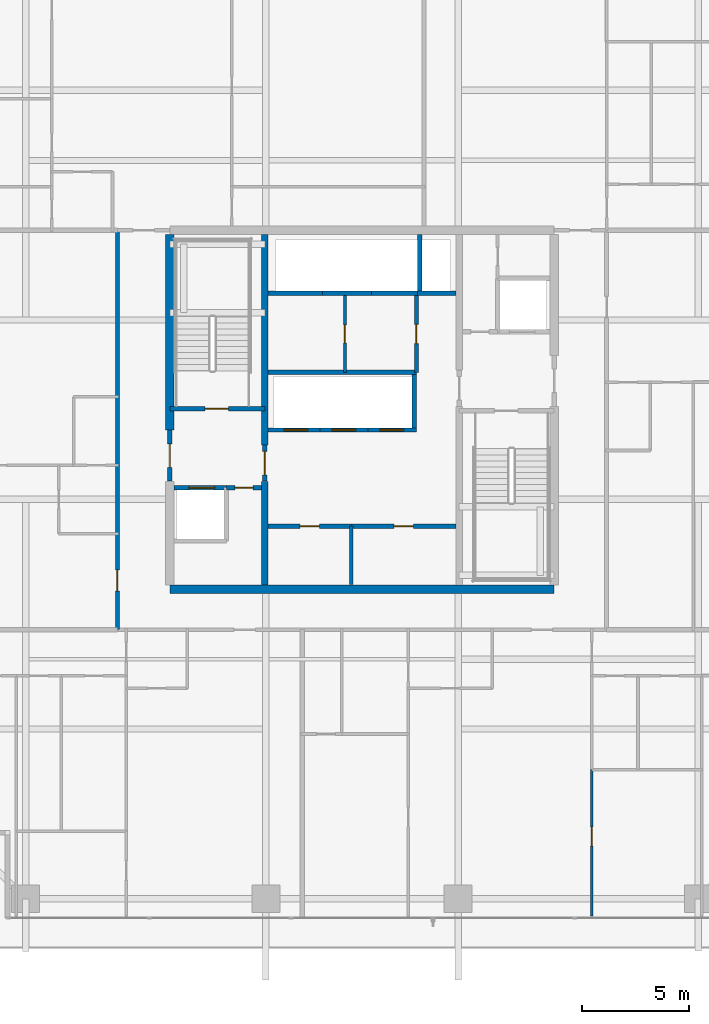
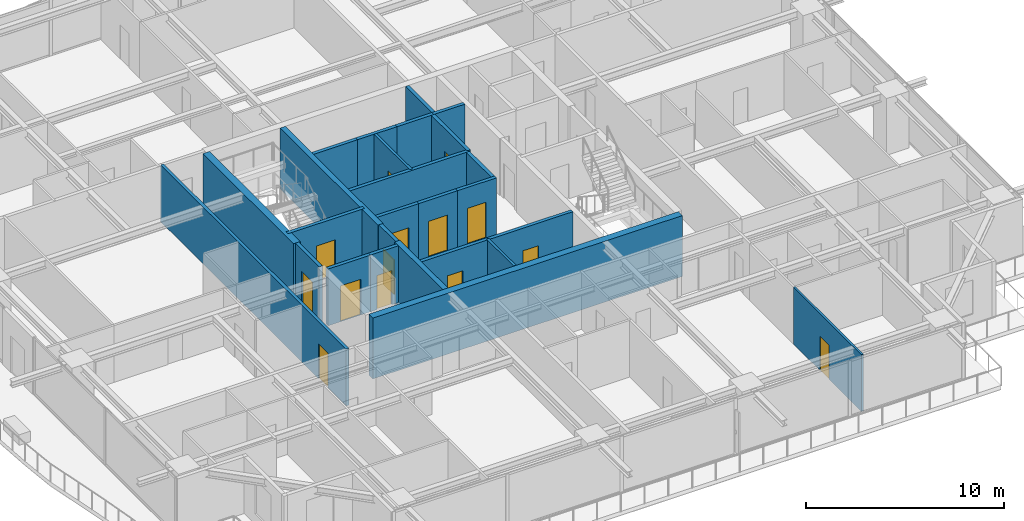
# One storey, part 28 of 39: 26 walls, 14 doors, 14 openings.
"""IFC4 building model written with IfcOpenShell, lengths in metres."""

import ifcopenshell
import ifcopenshell.guid

model = None  # the IFC model being written
_history = None  # IfcOwnerHistory: only IFC2X3 demands one
_inside = {}  # id of a spatial element -> (the spatial element, [elements in it])
_under = {}  # id of a project, library or spatial element -> (it, [spatial elements below it])
_declared = {}  # id of a project -> (the project, [libraries it declares])
_typed = {}  # id of a type object -> (the type object, [elements of that type])
_made_of = {}  # id of a material, layer set ... -> (it, [elements and type objects made of it])


def new_model(schema):
    """Start an empty IFC model of exactly this schema.

    Asked for "IFC4X3", IfcOpenShell would pick the latest addendum, in which some entities
    have other attributes; the version numbers below select the first issue.
    IFC2X3 requires an IfcOwnerHistory on every rooted entity: one is made here for all.
    """
    global model, _history
    if schema == "IFC4X3":
        model = ifcopenshell.file(schema_version=(4, 3, 0, 0))
    else:
        model = ifcopenshell.file(schema=schema)
    _inside.clear()
    _under.clear()
    _declared.clear()
    _typed.clear()
    _made_of.clear()
    _history = None
    if model.schema == "IFC2X3":
        org = make("IfcOrganization", Name="unknown")
        user = make(
            "IfcPersonAndOrganization",
            ThePerson=make("IfcPerson", FamilyName="unknown"),
            TheOrganization=org,
        )
        app = make(
            "IfcApplication",
            ApplicationDeveloper=org,
            Version="unknown",
            ApplicationFullName="unknown",
            ApplicationIdentifier="unknown",
        )
        _history = make(
            "IfcOwnerHistory",
            OwningUser=user,
            OwningApplication=app,
            ChangeAction="ADDED",
            CreationDate=0,
        )
    return model


def make(cls, **values):
    """One entity of the class cls with the attributes given. An attribute that is None is left unset."""
    return model.create_entity(
        cls, **{name: value for name, value in values.items() if value is not None}
    )


def rooted(cls, **values):
    """An entity with a GlobalId (a new one), such as an element, a storey or a relation."""
    return make(cls, GlobalId=ifcopenshell.guid.new(), OwnerHistory=_history, **values)


def si_unit(unit_type, name, prefix=None):
    """IfcSIUnit, for example si_unit("LENGTHUNIT", "METRE", prefix="MILLI")."""
    return make("IfcSIUnit", UnitType=unit_type, Prefix=prefix, Name=name)


def assignment(units):
    """IfcUnitAssignment: the units of a project."""
    return None if units is None else make("IfcUnitAssignment", Units=units)


def point(xyz):
    """IfcCartesianPoint."""
    return None if xyz is None else make("IfcCartesianPoint", Coordinates=xyz)


def direction(xyz):
    """IfcDirection."""
    return None if xyz is None else make("IfcDirection", DirectionRatios=xyz)


def frame(location, z_axis=None, x_axis=None):
    """IfcAxis2Placement3D, a coordinate frame: its origin and axes. An axis left out is left unset."""
    return make(
        "IfcAxis2Placement3D",
        Location=point(location),
        Axis=direction(z_axis),
        RefDirection=direction(x_axis),
    )


def frame_2d(location, x_axis=None):
    """IfcAxis2Placement2D, a coordinate frame in the plane: its origin and x axis."""
    return make(
        "IfcAxis2Placement2D", Location=point(location), RefDirection=direction(x_axis)
    )


def origin():
    """The frame at (0, 0, 0) with its axes left unset."""
    return frame((0.0, 0.0, 0.0))


def place(relative_to, where):
    """IfcLocalPlacement: puts the frame where relative to a parent placement (None: the world)."""
    return make(
        "IfcLocalPlacement", PlacementRelTo=relative_to, RelativePlacement=where
    )


def context(
    kind, dimensions, precision=None, world=None, true_north=None, identifier=None
):
    """IfcGeometricRepresentationContext, for example the 3D "Model" context."""
    return make(
        "IfcGeometricRepresentationContext",
        ContextIdentifier=identifier,
        ContextType=kind,
        CoordinateSpaceDimension=dimensions,
        Precision=precision,
        WorldCoordinateSystem=world,
        TrueNorth=true_north,
    )


def subcontext(parent, identifier, kind, view, scale=None):
    """IfcGeometricRepresentationSubContext, for example "Body" below "Model"."""
    return make(
        "IfcGeometricRepresentationSubContext",
        ContextIdentifier=identifier,
        ContextType=kind,
        ParentContext=parent,
        TargetScale=scale,
        TargetView=view,
    )


def project(units=None, contexts=None):
    """IfcProject with its units and contexts."""
    return rooted(
        "IfcProject",
        Name="project",
        RepresentationContexts=contexts,
        UnitsInContext=assignment(units),
    )


def spatial(cls, under=None, at=None, **own):
    """A site, building, storey or space (cls), placed at a placement, below another one or the project."""
    s = rooted(cls, ObjectPlacement=at, **own)
    if under is not None:
        _under.setdefault(under.id(), (under, []))[1].append(s)
    return s


def profile(cls, at=None, kind="AREA", **sizes):
    """A parametric profile (cls). Its sizes go by their IFC names, for example OverallWidth=200.0."""
    return make(cls, ProfileType=kind, Position=at, **sizes)


def rectangle(**sizes):
    """IfcRectangleProfileDef."""
    return profile("IfcRectangleProfileDef", **sizes)


def extrude(swept, where, along, depth):
    """IfcExtrudedAreaSolid: the profile swept, set in the frame where, extruded along a direction by depth."""
    return make(
        "IfcExtrudedAreaSolid",
        SweptArea=swept,
        Position=where,
        ExtrudedDirection=direction(along),
        Depth=depth,
    )


def shape(context_of_items, identifier, shape_type, items):
    """IfcShapeRepresentation: the items that make up one representation, for example the "Body"."""
    return make(
        "IfcShapeRepresentation",
        ContextOfItems=context_of_items,
        RepresentationIdentifier=identifier,
        RepresentationType=shape_type,
        Items=items,
    )


def source(mapping_origin, context_of_items, identifier, shape_type, items):
    """IfcRepresentationMap: a shape defined once, which mapped items show again and again."""
    return make(
        "IfcRepresentationMap",
        MappingOrigin=mapping_origin,
        MappedRepresentation=shape(context_of_items, identifier, shape_type, items),
    )


def transform(
    local_origin,
    x_axis=None,
    y_axis=None,
    z_axis=None,
    scale=None,
    scale2=None,
    scale3=None,
    uniform=True,
):
    """IfcCartesianTransformationOperator3D, or its non-uniform kind. x_axis, y_axis, z_axis: its Axis1, 2, 3."""
    if uniform:
        return make(
            "IfcCartesianTransformationOperator3D",
            Axis1=direction(x_axis),
            Axis2=direction(y_axis),
            LocalOrigin=point(local_origin),
            Scale=scale,
            Axis3=direction(z_axis),
        )
    return make(
        "IfcCartesianTransformationOperator3DnonUniform",
        Axis1=direction(x_axis),
        Axis2=direction(y_axis),
        LocalOrigin=point(local_origin),
        Scale=scale,
        Axis3=direction(z_axis),
        Scale2=scale2,
        Scale3=scale3,
    )


def mapped(mapping_source, mapping_target):
    """IfcMappedItem: shows the shape of a source again, moved by a transform."""
    return make(
        "IfcMappedItem", MappingSource=mapping_source, MappingTarget=mapping_target
    )


def material(Name=None, Category=None):
    """IfcMaterial."""
    return make("IfcMaterial", Name=Name, Category=Category)


def layer(
    of_material, thickness, ventilated=None, Name=None, Category=None, Priority=None
):
    """IfcMaterialLayer: one layer of a wall or slab, of a material (None: an air gap)."""
    return make(
        "IfcMaterialLayer",
        Material=of_material,
        LayerThickness=thickness,
        IsVentilated=ventilated,
        Name=Name,
        Category=Category,
        Priority=Priority,
    )


def layer_set(layers, Name=None):
    """IfcMaterialLayerSet."""
    return make("IfcMaterialLayerSet", MaterialLayers=layers, LayerSetName=Name)


def made_of(thing, what):
    """Note that an element or type object is made of a material, layer set ...; save() writes the relation."""
    if what is not None:
        _made_of.setdefault(what.id(), (what, []))[1].append(thing)
    return thing


def type_object(cls, material=None, **own):
    """A type object (cls), such as IfcWallType, which elements share."""
    return made_of(rooted(cls, **own), material)


def element(
    cls,
    number,
    at=None,
    inside=None,
    cuts=None,
    type_object=None,
    material=None,
    context=None,
    identifier="Body",
    shape_type=None,
    held_by="IfcProductDefinitionShape",
    body=None,
    shapes=None,
    **own,
):
    """One element of the class cls, such as IfcWall. Its Tag is "e" and its number.

    at: its placement. inside: the storey or other place that contains it. cuts: it is an
    opening in that element (IfcRelVoidsElement). A single representation is given by context,
    identifier, shape_type and body (its items); several are given by shapes. held_by: the class
    of the entity that holds the representations. save() writes the other relations.
    """
    e = rooted(cls, Tag="e%d" % number, ObjectPlacement=at, **own)
    if body is not None:
        shapes = [shape(context, identifier, shape_type, body)]
    if shapes is not None:
        e.Representation = make(held_by, Representations=shapes)
    if inside is not None:
        _inside.setdefault(inside.id(), (inside, []))[1].append(e)
    if cuts is not None:
        rooted(
            "IfcRelVoidsElement", RelatingBuildingElement=cuts, RelatedOpeningElement=e
        )
    if type_object is not None:
        _typed.setdefault(type_object.id(), (type_object, []))[1].append(e)
    return made_of(e, material)


def fill(opening, filler):
    """IfcRelFillsElement: the door or window that sits in an opening."""
    return rooted(
        "IfcRelFillsElement",
        RelatingOpeningElement=opening,
        RelatedBuildingElement=filler,
    )


def aggregate(whole, parts):
    """IfcRelAggregates: a whole, such as a stair, and the parts it consists of."""
    return rooted("IfcRelAggregates", RelatingObject=whole, RelatedObjects=parts)


def save(model, path):
    """Write the relations noted so far, then the file.

    IfcRelAggregates (storeys below a building ...), IfcRelContainedInSpatialStructure (elements
    in a storey), IfcRelDefinesByType, IfcRelAssociatesMaterial and IfcRelDeclares: one each for
    every whole, place, type object, material and project.
    """
    for whole, parts in _under.values():
        aggregate(whole, parts)
    for where, things in _inside.values():
        rooted(
            "IfcRelContainedInSpatialStructure",
            RelatedElements=things,
            RelatingStructure=where,
        )
    for kind, things in _typed.values():
        rooted("IfcRelDefinesByType", RelatedObjects=things, RelatingType=kind)
    for what, things in _made_of.values():
        rooted("IfcRelAssociatesMaterial", RelatedObjects=things, RelatingMaterial=what)
    for by, libraries in _declared.values():
        rooted("IfcRelDeclares", RelatingContext=by, RelatedDefinitions=libraries)
    model.write(path)


model = new_model("IFC4")

# Units and contexts
model_context = context("Model", 3, precision=1e-05, world=origin(), true_north=direction((0.0, 1.0)))
body_context = subcontext(model_context, "Body", "Model", "MODEL_VIEW")
ifc_project = project(units=[si_unit("LENGTHUNIT", "METRE"), si_unit("AREAUNIT", "SQUARE_METRE"), si_unit("VOLUMEUNIT", "CUBIC_METRE"), si_unit("PLANEANGLEUNIT", "RADIAN"), si_unit("MASSUNIT", "GRAM", prefix="KILO")], contexts=[model_context])

# Site, building, storey
site_placement = place(None, origin())
site = spatial("IfcSite", under=ifc_project, at=site_placement, CompositionType="ELEMENT")
building_placement = place(site_placement, origin())
building = spatial("IfcBuilding", under=site, at=building_placement, Name="Serunith Strait Residences", CompositionType="ELEMENT")
storey_placement = place(building_placement, frame((0.0, 0.0, 168.89990234375)))
storey = spatial("IfcBuildingStorey", under=building, at=storey_placement, Name="L42", CompositionType="ELEMENT", Elevation=168.89990234375)

# Wall, opening, door
ifc_material_1 = material(Name="Fire-rated masonry service closet wall", Category="masonry")
ifc_layer_1 = layer(ifc_material_1, 0.14990234375, Name="Fire-rated masonry service closet wall")
ifc_layer_set_1 = layer_set([ifc_layer_1], Name="Fire-rated masonry service closet wall")
wall_type_1 = type_object("IfcWallType", Name="IW-BOH-150", PredefinedType="PARTITIONING", material=ifc_layer_set_1)
wall_1_placement = place(storey_placement, frame((31.60009765625, 26.949951171875, 0.0), z_axis=(0.0, 0.0, 1.0), x_axis=(0.0, 1.0, 0.0)))
wall_1 = element("IfcWall", 1, at=wall_1_placement, inside=storey, type_object=wall_type_1, Name="L42 Partition Wall 014", PredefinedType="PARTITIONING", context=body_context, shape_type="SweptSolid", body=[
    extrude(rectangle(XDim=3.60009765625, YDim=0.14990234375, at=frame_2d((1.800048828125, 0.0))), origin(), (0.0, 0.0, 1.0), 3.489990234375),
])
opening_1_placement = place(wall_1_placement, frame((1.375, 0.0, 0.0)))
opening_1 = element("IfcOpeningElement", 2, at=opening_1_placement, cuts=wall_1, Name="Opening FD-850", PredefinedType="OPENING", context=body_context, shape_type="SweptSolid", body=[
    extrude(rectangle(XDim=0.85009765625, YDim=2.10009765625, at=frame_2d((0.425048828125, 1.050048828125))), frame((0.0, 0.0849609375, 0.0), z_axis=(0.0, -1.0, 0.0), x_axis=(1.0, 0.0, 0.0)), (0.0, 0.0, 1.0), 0.169921875),
])
ifc_material_2 = material(Name="Powder-coated steel service closet door", Category="steel")
door_type_1 = type_object("IfcDoorType", Name="FD-BOH-850", OperationType="NOTDEFINED", PredefinedType="DOOR", material=ifc_material_2)
shared_shape_1 = source(origin(), body_context, "Body", "SweptSolid", [
    extrude(rectangle(XDim=0.85009765625, YDim=2.10009765625, at=frame_2d((0.425048828125, 1.050048828125))), frame((0.0, 0.02490234375, 0.0), z_axis=(0.0, -1.0, 0.0), x_axis=(1.0, 0.0, 0.0)), (0.0, 0.0, 1.0), 0.050048828125),
])
door_1_placement = place(opening_1_placement, origin())
door_1 = element("IfcDoor", 3, at=door_1_placement, inside=storey, type_object=door_type_1, Name="L42 Zone Telecoms Door", OperationType="SINGLE_SWING_LEFT", OverallHeight=2.10009765625, OverallWidth=0.85009765625, PredefinedType="DOOR", context=body_context, shape_type="MappedRepresentation", body=[
    mapped(shared_shape_1, transform((0.0, 0.0, 0.0), scale=1.0)),
])
fill(opening_1, door_1)

# Wall
wall_2_placement = place(storey_placement, frame((31.89990234375, 17.02001953125, 0.0), z_axis=(0.0, 0.0, 1.0), x_axis=(0.0, 1.0, 0.0)))
element("IfcWall", 4, at=wall_2_placement, inside=storey, type_object=wall_type_1, Name="L42 Partition Wall 017", PredefinedType="PARTITIONING", context=body_context, shape_type="SweptSolid", body=[
    extrude(rectangle(XDim=2.72998046875, YDim=0.14990234375, at=frame_2d((1.364990234375, 0.0))), origin(), (0.0, 0.0, 1.0), 3.489990234375),
])

# Wall, opening, door
ifc_material_3 = material(Name="Fire-rated acoustic gypsum partition")
ifc_layer_2 = layer(ifc_material_3, 0.179931640625, Name="Fire-rated acoustic gypsum partition")
ifc_layer_set_2 = layer_set([ifc_layer_2], Name="Fire-rated acoustic gypsum partition")
wall_type_2 = type_object("IfcWallType", Name="IW-CORR-180", PredefinedType="PARTITIONING", material=ifc_layer_set_2)
wall_3_placement = place(storey_placement, frame((20.949951171875, 14.89990234375, 0.0), z_axis=(0.0, 0.0, 1.0), x_axis=(0.0, 1.0, 0.0)))
wall_3 = element("IfcWall", 5, at=wall_3_placement, inside=storey, type_object=wall_type_2, Name="L42 Partition Wall 025", PredefinedType="PARTITIONING", context=body_context, shape_type="SweptSolid", body=[
    extrude(rectangle(XDim=18.7001953125, YDim=0.179931640625, at=frame_2d((9.35009765625, 0.0))), origin(), (0.0, 0.0, 1.0), 3.489990234375),
])
opening_2_placement = place(wall_3_placement, frame((1.804931640625, 0.0, 0.0)))
opening_2 = element("IfcOpeningElement", 6, at=opening_2_placement, cuts=wall_3, Name="Opening D-APT1000", PredefinedType="OPENING", context=body_context, shape_type="SweptSolid", body=[
    extrude(rectangle(XDim=1.0, YDim=2.14990234375, at=frame_2d((0.5, 1.074951171875))), frame((0.0, 0.10009765625, 0.0), z_axis=(0.0, -1.0, 0.0), x_axis=(1.0, 0.0, 0.0)), (0.0, 0.0, 1.0), 0.199951171875),
])
ifc_material_4 = material(Name="Solid timber engineered fire door", Category="wood")
door_type_2 = type_object("IfcDoorType", Name="ID-APT-1000", OperationType="NOTDEFINED", PredefinedType="DOOR", material=ifc_material_4)
shared_shape_2 = source(origin(), body_context, "Body", "SweptSolid", [
    extrude(rectangle(XDim=1.0, YDim=2.14990234375, at=frame_2d((0.5, 1.074951171875))), frame((0.0, 0.02490234375, 0.0), z_axis=(0.0, -1.0, 0.0), x_axis=(1.0, 0.0, 0.0)), (0.0, 0.0, 1.0), 0.050048828125),
])
door_2_placement = place(opening_2_placement, origin())
door_2 = element("IfcDoor", 7, at=door_2_placement, inside=storey, type_object=door_type_2, Name="L42 Unit 05 Entrance Door", OperationType="SINGLE_SWING_RIGHT", OverallHeight=2.14990234375, OverallWidth=1.0, PredefinedType="DOOR", context=body_context, shape_type="MappedRepresentation", body=[
    mapped(shared_shape_2, transform((0.0, 0.0, 0.0), scale=1.0)),
])
fill(opening_2, door_2)

ifc_material_5 = material(Name="Lightweight steel-stud gypsum partition", Category="steel")
ifc_layer_3 = layer(ifc_material_5, 0.1201171875, Name="Lightweight steel-stud gypsum partition")
ifc_layer_set_3 = layer_set([ifc_layer_3], Name="Lightweight steel-stud gypsum partition")
wall_type_3 = type_object("IfcWallType", Name="IW-PART-120", PredefinedType="PARTITIONING", material=ifc_layer_set_3)
wall_4_placement = place(storey_placement, frame((43.159912109375, 1.4951171875, 0.0), z_axis=(0.0, 0.0, 1.0), x_axis=(0.0, 1.0, 0.0)))
wall_4 = element("IfcWall", 8, at=wall_4_placement, inside=storey, type_object=wall_type_3, Name="L42 Partition Wall 053", PredefinedType="PARTITIONING", context=body_context, shape_type="SweptSolid", body=[
    extrude(rectangle(XDim=6.85791015625, YDim=0.1201171875, at=frame_2d((3.428955078125, 0.0))), origin(), (0.0, 0.0, 1.0), 3.489990234375),
])
opening_3_placement = place(wall_4_placement, frame((3.277099609375, 0.0, 0.0)))
opening_3 = element("IfcOpeningElement", 9, at=opening_3_placement, cuts=wall_4, Name="Opening D-RM900", PredefinedType="OPENING", context=body_context, shape_type="SweptSolid", body=[
    extrude(rectangle(XDim=0.89990234375, YDim=2.10009765625, at=frame_2d((0.449951171875, 1.050048828125))), frame((0.0, 0.070068359375, 0.0), z_axis=(0.0, -1.0, 0.0), x_axis=(1.0, 0.0, 0.0)), (0.0, 0.0, 1.0), 0.14013671875),
])
ifc_material_6 = material(Name="Engineered timber flush bedroom door", Category="wood")
door_type_3 = type_object("IfcDoorType", Name="ID-ROOM-900", OperationType="NOTDEFINED", PredefinedType="DOOR", material=ifc_material_6)
shared_shape_3 = source(origin(), body_context, "Body", "SweptSolid", [
    extrude(rectangle(XDim=0.89990234375, YDim=2.10009765625, at=frame_2d((0.449951171875, 1.050048828125))), frame((0.0, 0.02490234375, 0.0), z_axis=(0.0, -1.0, 0.0), x_axis=(1.0, 0.0, 0.0)), (0.0, 0.0, 1.0), 0.050048828125),
])
door_3_placement = place(opening_3_placement, origin())
door_3 = element("IfcDoor", 10, at=door_3_placement, inside=storey, type_object=door_type_3, Name="L42 Formal Dining Room 2 4202 Door", OperationType="SINGLE_SWING_LEFT", OverallHeight=2.10009765625, OverallWidth=0.89990234375, PredefinedType="DOOR", context=body_context, shape_type="MappedRepresentation", body=[
    mapped(shared_shape_3, transform((0.0, 0.0, 0.0), scale=1.0)),
])
fill(opening_3, door_3)

ifc_material_7 = material(Name="Autoclaved aerated concrete blockwork", Category="masonry")
ifc_layer_4 = layer(ifc_material_7, 0.199951171875, Name="Autoclaved aerated concrete blockwork")
ifc_layer_set_4 = layer_set([ifc_layer_4], Name="Autoclaved aerated concrete blockwork")
wall_type_4 = type_object("IfcWallType", Name="IW-SHAFT-200", PredefinedType="STANDARD", material=ifc_layer_set_4)
wall_5_placement = place(storey_placement, frame((23.39990234375, 25.25, 0.0), z_axis=(0.0, 0.0, 1.0), x_axis=(1.0, 0.0, 0.0)))
wall_5 = element("IfcWall", 11, at=wall_5_placement, inside=storey, type_object=wall_type_4, Name="L42 ST-1 South Shaft Wall", PredefinedType="STANDARD", context=body_context, shape_type="SweptSolid", body=[
    extrude(rectangle(XDim=4.4501953125, YDim=0.199951171875, at=frame_2d((2.22509765625, 0.0))), origin(), (0.0, 0.0, 1.0), 3.489990234375),
])
opening_4_placement = place(wall_5_placement, frame((1.64990234375, 0.0, 0.0)))
opening_4 = element("IfcOpeningElement", 12, at=opening_4_placement, cuts=wall_5, Name="Opening FD-1100", PredefinedType="OPENING", context=body_context, shape_type="SweptSolid", body=[
    extrude(rectangle(XDim=1.10009765625, YDim=2.14990234375, at=frame_2d((0.550048828125, 1.074951171875))), frame((0.0, 0.10986328125, 0.0), z_axis=(0.0, -1.0, 0.0), x_axis=(1.0, 0.0, 0.0)), (0.0, 0.0, 1.0), 0.219970703125),
])
ifc_material_8 = material(Name="Galvanised steel fire door leaf", Category="steel")
door_type_4 = type_object("IfcDoorType", Name="FD-STAIR-1100", OperationType="NOTDEFINED", PredefinedType="DOOR", material=ifc_material_8)
shared_shape_4 = source(origin(), body_context, "Body", "SweptSolid", [
    extrude(rectangle(XDim=1.10009765625, YDim=2.14990234375, at=frame_2d((0.550048828125, 1.074951171875))), frame((0.0, 0.02490234375, 0.0), z_axis=(0.0, -1.0, 0.0), x_axis=(1.0, 0.0, 0.0)), (0.0, 0.0, 1.0), 0.050048828125),
])
door_4_placement = place(opening_4_placement, origin())
door_4 = element("IfcDoor", 13, at=door_4_placement, inside=storey, type_object=door_type_4, Name="L42 ST-1 Escape Stair Door", OperationType="SINGLE_SWING_RIGHT", OverallHeight=2.14990234375, OverallWidth=1.10009765625, PredefinedType="DOOR", context=body_context, shape_type="MappedRepresentation", body=[
    mapped(shared_shape_4, transform((0.0, 0.0, 0.0), scale=1.0)),
])
fill(opening_4, door_4)

wall_6_placement = place(storey_placement, frame((23.60009765625, 21.550048828125, 0.0), z_axis=(0.0, 0.0, 1.0), x_axis=(1.0, 0.0, 0.0)))
wall_6 = element("IfcWall", 14, at=wall_6_placement, inside=storey, type_object=wall_type_4, Name="L42 FL-1 North Shaft Wall", PredefinedType="STANDARD", context=body_context, shape_type="SweptSolid", body=[
    extrude(rectangle(XDim=2.449951171875, YDim=0.199951171875, at=frame_2d((1.22509765625, 0.0))), origin(), (0.0, 0.0, 1.0), 3.489990234375),
])
opening_5_placement = place(wall_6_placement, frame((0.699951171875, 0.0, 0.0)))
opening_5 = element("IfcOpeningElement", 15, at=opening_5_placement, cuts=wall_6, Name="Opening LD-FF1200", PredefinedType="OPENING", context=body_context, shape_type="SweptSolid", body=[
    extrude(rectangle(XDim=1.199951171875, YDim=2.199951171875, at=frame_2d((0.60009765625, 1.10009765625))), frame((0.0, 0.10986328125, 0.0), z_axis=(0.0, -1.0, 0.0), x_axis=(1.0, 0.0, 0.0)), (0.0, 0.0, 1.0), 0.219970703125),
])
ifc_material_9 = material(Name="Brushed stainless steel landing door", Category="steel")
door_type_5 = type_object("IfcDoorType", Name="LD-FF-1200", OperationType="DOUBLE_DOOR_SLIDING", PredefinedType="DOOR", material=ifc_material_9)
shared_shape_5 = source(origin(), body_context, "Body", "SweptSolid", [
    extrude(rectangle(XDim=1.199951171875, YDim=2.199951171875, at=frame_2d((0.60009765625, 1.10009765625))), frame((0.0, 0.02490234375, 0.0), z_axis=(0.0, -1.0, 0.0), x_axis=(1.0, 0.0, 0.0)), (0.0, 0.0, 1.0), 0.050048828125),
])
door_5_placement = place(opening_5_placement, origin())
door_5 = element("IfcDoor", 16, at=door_5_placement, inside=storey, type_object=door_type_5, Name="L42 FL-1 Landing Door", OperationType="DOUBLE_DOOR_SLIDING", OverallHeight=2.199951171875, OverallWidth=1.199951171875, PredefinedType="DOOR", context=body_context, shape_type="MappedRepresentation", body=[
    mapped(shared_shape_5, transform((0.0, 0.0, 0.0), scale=1.0)),
])
fill(opening_5, door_5)

wall_7_placement = place(storey_placement, frame((28.0, 24.25, 0.0), z_axis=(0.0, 0.0, 1.0), x_axis=(1.0, 0.0, 0.0)))
wall_7 = element("IfcWall", 17, at=wall_7_placement, inside=storey, type_object=wall_type_4, Name="L42 PL-4 South Shaft Wall", PredefinedType="STANDARD", context=body_context, shape_type="SweptSolid", body=[
    extrude(rectangle(XDim=2.425048828125, YDim=0.199951171875, at=frame_2d((1.21240234375, 0.0))), origin(), (0.0, 0.0, 1.0), 3.489990234375),
])
opening_6_placement = place(wall_7_placement, frame((0.75, 0.0, 0.0)))
opening_6 = element("IfcOpeningElement", 18, at=opening_6_placement, cuts=wall_7, Name="Opening LD-1100", PredefinedType="OPENING", context=body_context, shape_type="SweptSolid", body=[
    extrude(rectangle(XDim=1.10009765625, YDim=2.199951171875, at=frame_2d((0.550048828125, 1.10009765625))), frame((0.0, 0.10986328125, 0.0), z_axis=(0.0, -1.0, 0.0), x_axis=(1.0, 0.0, 0.0)), (0.0, 0.0, 1.0), 0.219970703125),
])
ifc_material_10 = material(Name="Pale-champagne stainless landing door")
door_type_6 = type_object("IfcDoorType", Name="LD-LIFT-1100", OperationType="DOUBLE_DOOR_SLIDING", PredefinedType="DOOR", material=ifc_material_10)
shared_shape_6 = source(origin(), body_context, "Body", "SweptSolid", [
    extrude(rectangle(XDim=1.10009765625, YDim=2.199951171875, at=frame_2d((0.550048828125, 1.10009765625))), frame((0.0, 0.02490234375, 0.0), z_axis=(0.0, -1.0, 0.0), x_axis=(1.0, 0.0, 0.0)), (0.0, 0.0, 1.0), 0.050048828125),
])
door_6_placement = place(opening_6_placement, origin())
door_6 = element("IfcDoor", 19, at=door_6_placement, inside=storey, type_object=door_type_6, Name="L42 PL-4 Landing Door", OperationType="DOUBLE_DOOR_SLIDING", OverallHeight=2.199951171875, OverallWidth=1.10009765625, PredefinedType="DOOR", context=body_context, shape_type="MappedRepresentation", body=[
    mapped(shared_shape_6, transform((0.0, 0.0, 0.0), scale=1.0)),
])
fill(opening_6, door_6)

wall_8_placement = place(storey_placement, frame((30.425048828125, 24.25, 0.0), z_axis=(0.0, 0.0, 1.0), x_axis=(1.0, 0.0, 0.0)))
wall_8 = element("IfcWall", 20, at=wall_8_placement, inside=storey, type_object=wall_type_4, Name="L42 PL-5 South Shaft Wall", PredefinedType="STANDARD", context=body_context, shape_type="SweptSolid", body=[
    extrude(rectangle(XDim=2.25, YDim=0.199951171875, at=frame_2d((1.125, 0.0))), origin(), (0.0, 0.0, 1.0), 3.489990234375),
])
opening_7_placement = place(wall_8_placement, frame((0.574951171875, 0.0, 0.0)))
opening_7 = element("IfcOpeningElement", 21, at=opening_7_placement, cuts=wall_8, Name="Opening LD-1100", PredefinedType="OPENING", context=body_context, shape_type="SweptSolid", body=[
    extrude(rectangle(XDim=1.10009765625, YDim=2.199951171875, at=frame_2d((0.550048828125, 1.10009765625))), frame((0.0, 0.10986328125, 0.0), z_axis=(0.0, -1.0, 0.0), x_axis=(1.0, 0.0, 0.0)), (0.0, 0.0, 1.0), 0.219970703125),
])
door_7_placement = place(opening_7_placement, origin())
door_7 = element("IfcDoor", 22, at=door_7_placement, inside=storey, type_object=door_type_6, Name="L42 PL-5 Landing Door", OperationType="DOUBLE_DOOR_SLIDING", OverallHeight=2.199951171875, OverallWidth=1.10009765625, PredefinedType="DOOR", context=body_context, shape_type="MappedRepresentation", body=[
    mapped(shared_shape_6, transform((0.0, 0.0, 0.0), scale=1.0)),
])
fill(opening_7, door_7)

wall_9_placement = place(storey_placement, frame((32.675048828125, 24.25, 0.0), z_axis=(0.0, 0.0, 1.0), x_axis=(1.0, 0.0, 0.0)))
wall_9 = element("IfcWall", 23, at=wall_9_placement, inside=storey, type_object=wall_type_4, Name="L42 PL-6 South Shaft Wall", PredefinedType="STANDARD", context=body_context, shape_type="SweptSolid", body=[
    extrude(rectangle(XDim=2.27490234375, YDim=0.199951171875, at=frame_2d((1.137451171875, 0.0))), origin(), (0.0, 0.0, 1.0), 3.489990234375),
])
opening_8_placement = place(wall_9_placement, frame((0.574951171875, 0.0, 0.0)))
opening_8 = element("IfcOpeningElement", 24, at=opening_8_placement, cuts=wall_9, Name="Opening LD-1100", PredefinedType="OPENING", context=body_context, shape_type="SweptSolid", body=[
    extrude(rectangle(XDim=1.10009765625, YDim=2.199951171875, at=frame_2d((0.550048828125, 1.10009765625))), frame((0.0, 0.10986328125, 0.0), z_axis=(0.0, -1.0, 0.0), x_axis=(1.0, 0.0, 0.0)), (0.0, 0.0, 1.0), 0.219970703125),
])
door_8_placement = place(opening_8_placement, origin())
door_8 = element("IfcDoor", 25, at=door_8_placement, inside=storey, type_object=door_type_6, Name="L42 PL-6 Landing Door", OperationType="DOUBLE_DOOR_SLIDING", OverallHeight=2.199951171875, OverallWidth=1.10009765625, PredefinedType="DOOR", context=body_context, shape_type="MappedRepresentation", body=[
    mapped(shared_shape_6, transform((0.0, 0.0, 0.0), scale=1.0)),
])
fill(opening_8, door_8)

# Walls
wall_10_placement = place(storey_placement, frame((34.85009765625, 24.35009765625, 0.0), z_axis=(0.0, 0.0, 1.0), x_axis=(0.0, 1.0, 0.0)))
element("IfcWall", 26, at=wall_10_placement, inside=storey, type_object=wall_type_4, Name="L42 PL-6 East Shaft Wall", PredefinedType="STANDARD", context=body_context, shape_type="SweptSolid", body=[
    extrude(rectangle(XDim=2.5, YDim=0.199951171875, at=frame_2d((1.25, 0.0))), origin(), (0.0, 0.0, 1.0), 3.489990234375),
])
wall_11_placement = place(storey_placement, frame((28.0, 30.64990234375, 0.0), z_axis=(0.0, 0.0, 1.0), x_axis=(1.0, 0.0, 0.0)))
element("IfcWall", 27, at=wall_11_placement, inside=storey, type_object=wall_type_4, Name="L42 PL-7 South Shaft Wall", PredefinedType="STANDARD", context=body_context, shape_type="SweptSolid", body=[
    extrude(rectangle(XDim=2.550048828125, YDim=0.199951171875, at=frame_2d((1.27490234375, 0.0))), origin(), (0.0, 0.0, 1.0), 3.489990234375),
])
wall_12_placement = place(storey_placement, frame((30.550048828125, 30.64990234375, 0.0), z_axis=(0.0, 0.0, 1.0), x_axis=(1.0, 0.0, 0.0)))
element("IfcWall", 28, at=wall_12_placement, inside=storey, type_object=wall_type_4, Name="L42 PL-8 South Shaft Wall", PredefinedType="STANDARD", context=body_context, shape_type="SweptSolid", body=[
    extrude(rectangle(XDim=2.300048828125, YDim=0.199951171875, at=frame_2d((1.14990234375, 0.0))), origin(), (0.0, 0.0, 1.0), 3.489990234375),
])
wall_13_placement = place(storey_placement, frame((32.85009765625, 30.64990234375, 0.0), z_axis=(0.0, 0.0, 1.0), x_axis=(1.0, 0.0, 0.0)))
element("IfcWall", 29, at=wall_13_placement, inside=storey, type_object=wall_type_4, Name="L42 PL-9 South Shaft Wall", PredefinedType="STANDARD", context=body_context, shape_type="SweptSolid", body=[
    extrude(rectangle(XDim=2.14990234375, YDim=0.199951171875, at=frame_2d((1.074951171875, 0.0))), origin(), (0.0, 0.0, 1.0), 3.489990234375),
])
wall_14_placement = place(storey_placement, frame((35.0, 30.64990234375, 0.0), z_axis=(0.0, 0.0, 1.0), x_axis=(1.0, 0.0, 0.0)))
element("IfcWall", 30, at=wall_14_placement, inside=storey, type_object=wall_type_4, Name="L42 SL-1 South Shaft Wall", PredefinedType="STANDARD", context=body_context, shape_type="SweptSolid", body=[
    extrude(rectangle(XDim=1.800048828125, YDim=0.199951171875, at=frame_2d((0.89990234375, 0.0))), origin(), (0.0, 0.0, 1.0), 3.489990234375),
])
wall_15_placement = place(storey_placement, frame((35.10009765625, 30.75, 0.0), z_axis=(0.0, 0.0, 1.0), x_axis=(0.0, 1.0, 0.0)))
element("IfcWall", 31, at=wall_15_placement, inside=storey, type_object=wall_type_4, Name="L42 SL-1 West Shaft Wall", PredefinedType="STANDARD", context=body_context, shape_type="SweptSolid", body=[
    extrude(rectangle(XDim=2.64990234375, YDim=0.199951171875, at=frame_2d((1.324951171875, 0.0))), origin(), (0.0, 0.0, 1.0), 3.489990234375),
])

# Wall, opening, door
wall_16_placement = place(storey_placement, frame((26.052001953125, 21.550048828125, 0.0), z_axis=(0.0, 0.0, 1.0), x_axis=(1.0, 0.0, 0.0)))
wall_16 = element("IfcWall", 32, at=wall_16_placement, inside=storey, type_object=wall_type_4, Name="L42 Partition Wall 003", PredefinedType="STANDARD", context=body_context, shape_type="SweptSolid", body=[
    extrude(rectangle(XDim=1.64794921875, YDim=0.199951171875, at=frame_2d((0.823974609375, 0.0))), origin(), (0.0, 0.0, 1.0), 3.489990234375),
])
opening_9_placement = place(wall_16_placement, frame((0.39892578125, 0.0, 0.0)))
opening_9 = element("IfcOpeningElement", 33, at=opening_9_placement, cuts=wall_16, Name="Opening FD-850", PredefinedType="OPENING", context=body_context, shape_type="SweptSolid", body=[
    extrude(rectangle(XDim=0.85009765625, YDim=2.10009765625, at=frame_2d((0.425048828125, 1.050048828125))), frame((0.0, 0.10986328125, 0.0), z_axis=(0.0, -1.0, 0.0), x_axis=(1.0, 0.0, 0.0)), (0.0, 0.0, 1.0), 0.219970703125),
])
door_9_placement = place(opening_9_placement, origin())
door_9 = element("IfcDoor", 34, at=door_9_placement, inside=storey, type_object=door_type_1, Name="L42 South-West Core Service Door", OperationType="SINGLE_SWING_LEFT", OverallHeight=2.10009765625, OverallWidth=0.85009765625, PredefinedType="DOOR", context=body_context, shape_type="MappedRepresentation", body=[
    mapped(shared_shape_1, transform((0.0, 0.0, 0.0), scale=1.0)),
])
fill(opening_9, door_9)

wall_17_placement = place(storey_placement, frame((23.39990234375, 21.85205078125, 0.0), z_axis=(0.0, 0.0, 1.0), x_axis=(0.0, 1.0, 0.0)))
wall_17 = element("IfcWall", 35, at=wall_17_placement, inside=storey, type_object=wall_type_4, Name="L42 Partition Wall 007", PredefinedType="STANDARD", context=body_context, shape_type="SweptSolid", body=[
    extrude(rectangle(XDim=2.39599609375, YDim=0.199951171875, at=frame_2d((1.197998046875, 0.0))), origin(), (0.0, 0.0, 1.0), 3.489990234375),
])
opening_10_placement = place(wall_17_placement, frame((0.64794921875, 0.0, 0.0)))
opening_10 = element("IfcOpeningElement", 36, at=opening_10_placement, cuts=wall_17, Name="Opening FD-FFL", PredefinedType="OPENING", context=body_context, shape_type="SweptSolid", body=[
    extrude(rectangle(XDim=1.10009765625, YDim=2.14990234375, at=frame_2d((0.550048828125, 1.074951171875))), frame((0.0, 0.10986328125, 0.0), z_axis=(0.0, -1.0, 0.0), x_axis=(1.0, 0.0, 0.0)), (0.0, 0.0, 1.0), 0.219970703125),
])
ifc_material_11 = material(Name="Glazed steel smoke-lobby fire door", Category="steel")
door_type_7 = type_object("IfcDoorType", Name="FD-FFL-1100", OperationType="NOTDEFINED", PredefinedType="DOOR", material=ifc_material_11)
door_10_placement = place(opening_10_placement, origin())
door_10 = element("IfcDoor", 37, at=door_10_placement, inside=storey, type_object=door_type_7, Name="L42 FFL-1 Corridor Fire Door", OperationType="SINGLE_SWING_LEFT", OverallHeight=2.14990234375, OverallWidth=1.10009765625, PredefinedType="DOOR", context=body_context, shape_type="MappedRepresentation", body=[
    mapped(shared_shape_4, transform((0.0, 0.0, 0.0), scale=1.0)),
])
fill(opening_10, door_10)

wall_18_placement = place(storey_placement, frame((27.85009765625, 21.85205078125, 0.0), z_axis=(0.0, 0.0, 1.0), x_axis=(0.0, 1.0, 0.0)))
wall_18 = element("IfcWall", 38, at=wall_18_placement, inside=storey, type_object=wall_type_4, Name="L42 Partition Wall 009", PredefinedType="STANDARD", context=body_context, shape_type="SweptSolid", body=[
    extrude(rectangle(XDim=1.696044921875, YDim=0.199951171875, at=frame_2d((0.84814453125, 0.0))), origin(), (0.0, 0.0, 1.0), 3.489990234375),
])
opening_11_placement = place(wall_18_placement, frame((0.298095703125, 0.0, 0.0)))
opening_11 = element("IfcOpeningElement", 39, at=opening_11_placement, cuts=wall_18, Name="Opening FD-FFL", PredefinedType="OPENING", context=body_context, shape_type="SweptSolid", body=[
    extrude(rectangle(XDim=1.10009765625, YDim=2.14990234375, at=frame_2d((0.550048828125, 1.074951171875))), frame((0.0, 0.10986328125, 0.0), z_axis=(0.0, -1.0, 0.0), x_axis=(1.0, 0.0, 0.0)), (0.0, 0.0, 1.0), 0.219970703125),
])
door_11_placement = place(opening_11_placement, origin())
door_11 = element("IfcDoor", 40, at=door_11_placement, inside=storey, type_object=door_type_7, Name="L42 FFL-1 Lift Lobby Door", OperationType="SINGLE_SWING_LEFT", OverallHeight=2.14990234375, OverallWidth=1.10009765625, PredefinedType="DOOR", context=body_context, shape_type="MappedRepresentation", body=[
    mapped(shared_shape_4, transform((0.0, 0.0, 0.0), scale=1.0)),
])
fill(opening_11, door_11)

# Wall
wall_19_placement = place(storey_placement, frame((28.0, 26.949951171875, 0.0), z_axis=(0.0, 0.0, 1.0), x_axis=(1.0, 0.0, 0.0)))
element("IfcWall", 41, at=wall_19_placement, inside=storey, type_object=wall_type_4, Name="L42 Partition Wall 011", PredefinedType="STANDARD", context=body_context, shape_type="SweptSolid", body=[
    extrude(rectangle(XDim=6.949951171875, YDim=0.199951171875, at=frame_2d((3.47509765625, 0.0))), origin(), (0.0, 0.0, 1.0), 3.489990234375),
])

# Wall, opening, door
wall_20_placement = place(storey_placement, frame((34.949951171875, 26.949951171875, 0.0), z_axis=(0.0, 0.0, 1.0), x_axis=(0.0, 1.0, 0.0)))
wall_20 = element("IfcWall", 42, at=wall_20_placement, inside=storey, type_object=wall_type_4, Name="L42 Partition Wall 013", PredefinedType="STANDARD", context=body_context, shape_type="SweptSolid", body=[
    extrude(rectangle(XDim=3.60009765625, YDim=0.199951171875, at=frame_2d((1.800048828125, 0.0))), origin(), (0.0, 0.0, 1.0), 3.489990234375),
])
opening_12_placement = place(wall_20_placement, frame((1.35009765625, 0.0, 0.0)))
opening_12 = element("IfcOpeningElement", 43, at=opening_12_placement, cuts=wall_20, Name="Opening FD-900", PredefinedType="OPENING", context=body_context, shape_type="SweptSolid", body=[
    extrude(rectangle(XDim=0.89990234375, YDim=2.10009765625, at=frame_2d((0.449951171875, 1.050048828125))), frame((0.0, 0.10986328125, 0.0), z_axis=(0.0, -1.0, 0.0), x_axis=(1.0, 0.0, 0.0)), (0.0, 0.0, 1.0), 0.219970703125),
])
ifc_material_12 = material(Name="Powder-coated steel riser door", Category="steel")
door_type_8 = type_object("IfcDoorType", Name="FD-BOH-900", OperationType="NOTDEFINED", PredefinedType="DOOR", material=ifc_material_12)
door_12_placement = place(opening_12_placement, origin())
door_12 = element("IfcDoor", 44, at=door_12_placement, inside=storey, type_object=door_type_8, Name="L42 Central Comms Door", OperationType="SINGLE_SWING_RIGHT", OverallHeight=2.10009765625, OverallWidth=0.89990234375, PredefinedType="DOOR", context=body_context, shape_type="MappedRepresentation", body=[
    mapped(shared_shape_3, transform((0.0, 0.0, 0.0), scale=1.0)),
])
fill(opening_12, door_12)

wall_21_placement = place(storey_placement, frame((28.0, 19.75, 0.0), z_axis=(0.0, 0.0, 1.0), x_axis=(1.0, 0.0, 0.0)))
wall_21 = element("IfcWall", 45, at=wall_21_placement, inside=storey, type_object=wall_type_4, Name="L42 Partition Wall 015", PredefinedType="STANDARD", context=body_context, shape_type="SweptSolid", body=[
    extrude(rectangle(XDim=3.89990234375, YDim=0.199951171875, at=frame_2d((1.949951171875, 0.0))), origin(), (0.0, 0.0, 1.0), 3.489990234375),
])
opening_13_placement = place(wall_21_placement, frame((1.5, 0.0, 0.0)))
opening_13 = element("IfcOpeningElement", 46, at=opening_13_placement, cuts=wall_21, Name="Opening FD-900", PredefinedType="OPENING", context=body_context, shape_type="SweptSolid", body=[
    extrude(rectangle(XDim=0.89990234375, YDim=2.10009765625, at=frame_2d((0.449951171875, 1.050048828125))), frame((0.0, 0.10986328125, 0.0), z_axis=(0.0, -1.0, 0.0), x_axis=(1.0, 0.0, 0.0)), (0.0, 0.0, 1.0), 0.219970703125),
])
door_13_placement = place(opening_13_placement, origin())
door_13 = element("IfcDoor", 47, at=door_13_placement, inside=storey, type_object=door_type_8, Name="L42 Housekeeping Store Door", OperationType="SINGLE_SWING_RIGHT", OverallHeight=2.10009765625, OverallWidth=0.89990234375, PredefinedType="DOOR", context=body_context, shape_type="MappedRepresentation", body=[
    mapped(shared_shape_3, transform((0.0, 0.0, 0.0), scale=1.0)),
])
fill(opening_13, door_13)

wall_22_placement = place(storey_placement, frame((31.902099609375, 19.75, 0.0), z_axis=(0.0, 0.0, 1.0), x_axis=(1.0, 0.0, 0.0)))
wall_22 = element("IfcWall", 48, at=wall_22_placement, inside=storey, type_object=wall_type_4, Name="L42 Partition Wall 016", PredefinedType="STANDARD", context=body_context, shape_type="SweptSolid", body=[
    extrude(rectangle(XDim=4.89794921875, YDim=0.199951171875, at=frame_2d((2.448974609375, 0.0))), origin(), (0.0, 0.0, 1.0), 3.489990234375),
])
opening_14_placement = place(wall_22_placement, frame((1.9990234375, 0.0, 0.0)))
opening_14 = element("IfcOpeningElement", 49, at=opening_14_placement, cuts=wall_22, Name="Opening FD-900", PredefinedType="OPENING", context=body_context, shape_type="SweptSolid", body=[
    extrude(rectangle(XDim=0.89990234375, YDim=2.10009765625, at=frame_2d((0.449951171875, 1.050048828125))), frame((0.0, 0.10986328125, 0.0), z_axis=(0.0, -1.0, 0.0), x_axis=(1.0, 0.0, 0.0)), (0.0, 0.0, 1.0), 0.219970703125),
])
door_14_placement = place(opening_14_placement, origin())
door_14 = element("IfcDoor", 50, at=door_14_placement, inside=storey, type_object=door_type_8, Name="L42 High-Rise Meter Door", OperationType="SINGLE_SWING_LEFT", OverallHeight=2.10009765625, OverallWidth=0.89990234375, PredefinedType="DOOR", context=body_context, shape_type="MappedRepresentation", body=[
    mapped(shared_shape_3, transform((0.0, 0.0, 0.0), scale=1.0)),
])
fill(opening_14, door_14)

# Walls
ifc_material_13 = material(Name="Concrete C70/85", Category="concrete")
ifc_layer_5 = layer(ifc_material_13, 0.300048828125, Name="Concrete C70/85")
ifc_layer_set_5 = layer_set([ifc_layer_5], Name="Concrete C70/85")
wall_type_5 = type_object("IfcWallType", Name="SW-300-C70", PredefinedType="SHEAR", material=ifc_layer_set_5)
wall_23_placement = place(storey_placement, frame((27.85009765625, 17.0, -0.260009765625), z_axis=(0.0, 0.0, 1.0), x_axis=(0.0, 1.0, 0.0)))
element("IfcWall", 51, at=wall_23_placement, inside=storey, type_object=wall_type_5, Name="L42 Core Internal West Web South Pier", PredefinedType="SHEAR", context=body_context, shape_type="SweptSolid", body=[
    extrude(rectangle(XDim=4.85009765625, YDim=0.300048828125, at=frame_2d((2.425048828125, 0.0))), origin(), (0.0, 0.0, 1.0), 3.748046875),
])
wall_24_placement = place(storey_placement, frame((27.85009765625, 23.550048828125, -0.260009765625), z_axis=(0.0, 0.0, 1.0), x_axis=(0.0, 1.0, 0.0)))
element("IfcWall", 52, at=wall_24_placement, inside=storey, type_object=wall_type_5, Name="L42 Core Internal West Web North Pier", PredefinedType="SHEAR", context=body_context, shape_type="SweptSolid", body=[
    extrude(rectangle(XDim=9.849853515625, YDim=0.300048828125, at=frame_2d((4.9248046875, 0.0))), origin(), (0.0, 0.0, 1.0), 3.748046875),
])
ifc_layer_6 = layer(ifc_material_13, 0.39990234375, Name="Concrete C70/85")
ifc_layer_set_6 = layer_set([ifc_layer_6], Name="Concrete C70/85")
wall_type_6 = type_object("IfcWallType", Name="SW-400-C70", PredefinedType="SHEAR", material=ifc_layer_set_6)
wall_25_placement = place(storey_placement, frame((23.39990234375, 16.800048828125, -0.260009765625), z_axis=(0.0, 0.0, 1.0), x_axis=(1.0, 0.0, 0.0)))
element("IfcWall", 53, at=wall_25_placement, inside=storey, type_object=wall_type_6, Name="L42 Core South Shear Wall", PredefinedType="SHEAR", context=body_context, shape_type="SweptSolid", body=[
    extrude(rectangle(XDim=18.0, YDim=0.39990234375, at=frame_2d((9.0, 0.0))), origin(), (0.0, 0.0, 1.0), 3.748046875),
])
wall_26_placement = place(storey_placement, frame((23.39990234375, 24.25, -0.260009765625), z_axis=(0.0, 0.0, 1.0), x_axis=(0.0, 1.0, 0.0)))
element("IfcWall", 54, at=wall_26_placement, inside=storey, type_object=wall_type_6, Name="L42 Core West Shear Wall North Pier", PredefinedType="SHEAR", context=body_context, shape_type="SweptSolid", body=[
    extrude(rectangle(XDim=9.14990234375, YDim=0.39990234375, at=frame_2d((4.574951171875, 0.0))), origin(), (0.0, 0.0, 1.0), 3.748046875),
])

save(model, "model.ifc")
